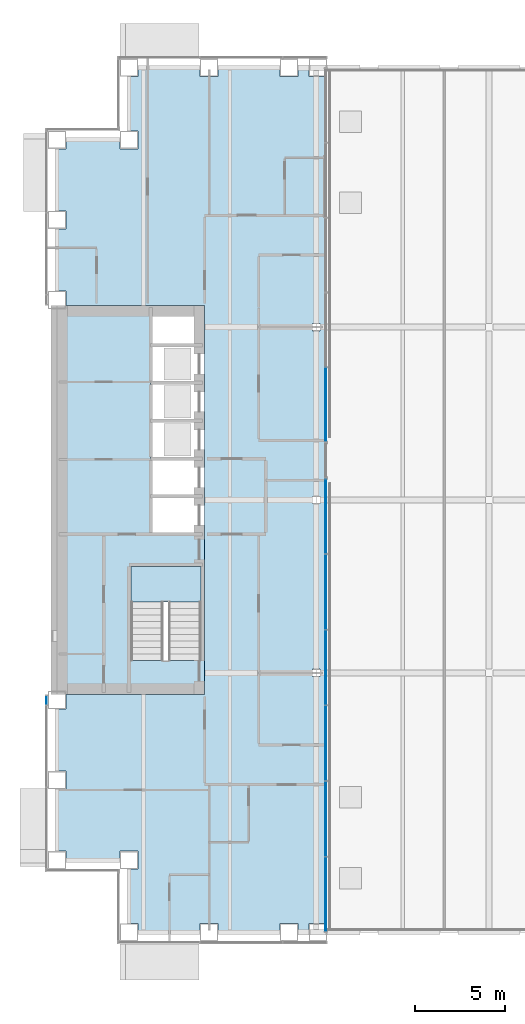
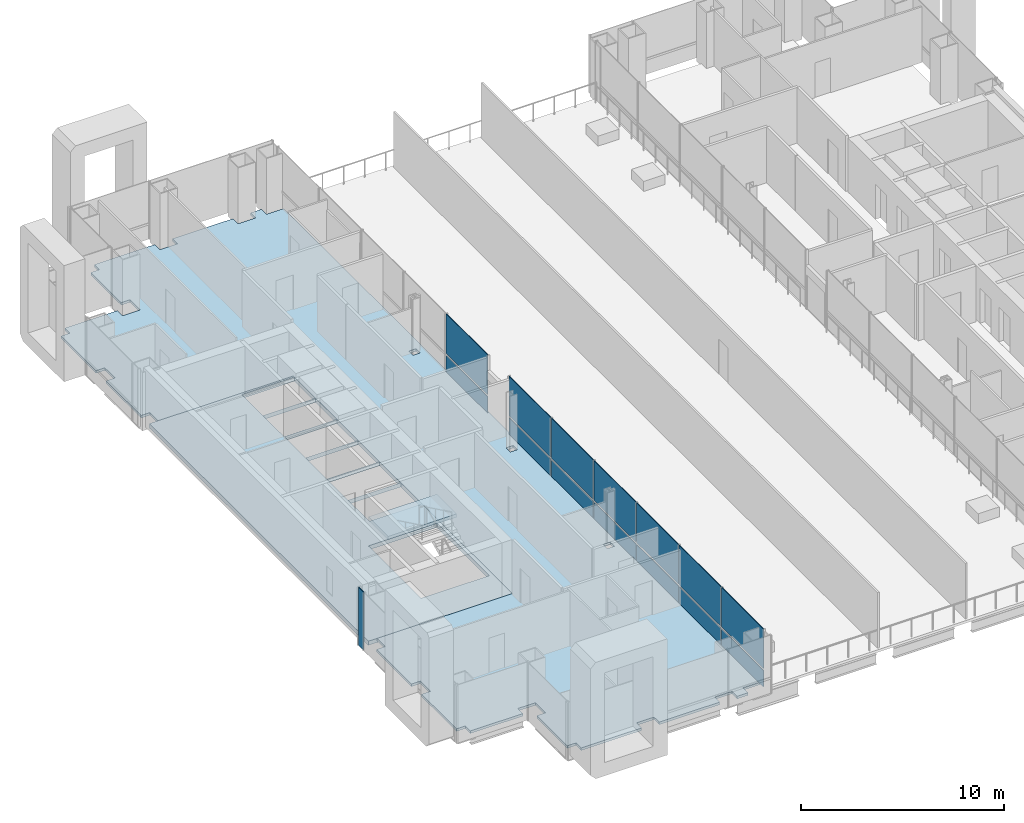
# One storey, part 12 of 24: 15 plates, 3 slabs, 4 elements without a shape of their own.
"""IFC4 building model written with IfcOpenShell, lengths in metres."""

from ifc_helpers import new_model, si_unit, direction, frame, origin, origin_2d, place, context, subcontext, project, spatial, polyline, rectangle, outline, extrude, material, layer, layer_set, type_object, element, aggregate, save


model = new_model("IFC4")

# Units and contexts
model_context = context("Model", 3, precision=1e-05, world=origin(), true_north=direction((0.0, 1.0)))
body_context = subcontext(model_context, "Body", "Model", "MODEL_VIEW")
ifc_project = project(units=[si_unit("LENGTHUNIT", "METRE"), si_unit("AREAUNIT", "SQUARE_METRE"), si_unit("VOLUMEUNIT", "CUBIC_METRE"), si_unit("PLANEANGLEUNIT", "RADIAN"), si_unit("MASSUNIT", "GRAM", prefix="KILO")], contexts=[model_context])

# Site, building, storey
site_placement = place(None, origin())
site = spatial("IfcSite", under=ifc_project, at=site_placement, CompositionType="ELEMENT")
building_placement = place(site_placement, origin())
building = spatial("IfcBuilding", under=site, at=building_placement, Name="Cobrizo Arcos Hotel Tower", CompositionType="ELEMENT")
storey_placement = place(building_placement, frame((0.0, 0.0, 60.0)))
storey = spatial("IfcBuildingStorey", under=building, at=storey_placement, Name="L13", CompositionType="ELEMENT", Elevation=60.0)

# Curtain wall, plate
ifc_material_1 = material(Name="Aluminium 6063-T6 anodised bronze", Category="aluminium")
curtain_wall_type_1 = type_object("IfcCurtainWallType", Name="CW-A guest facade", PredefinedType="NOTDEFINED", material=ifc_material_1)
curtain_wall_1_placement = place(storey_placement, origin())
curtain_wall_1 = element("IfcCurtainWall", 1, at=curtain_wall_1_placement, inside=storey, type_object=curtain_wall_type_1, Name="CW-A L13 W face", PredefinedType="NOTDEFINED")
ifc_material_2 = material(Name="Aluminium composite panel pale metal", Category="aluminium")
ifc_layer_1 = layer(ifc_material_2, 0.0400390625)
ifc_layer_set_1 = layer_set([ifc_layer_1], Name="CW-A spandrel panel")
plate_type_1 = type_object("IfcPlateType", Name="CW-A spandrel panel", PredefinedType="CURTAIN_PANEL", material=ifc_layer_set_1)
plate_1_placement = place(storey_placement, frame((-24.574951171875, -11.109375, 0.0), z_axis=(0.0, 0.0, 1.0), x_axis=(0.0, -1.0, 0.0)))
plate_1 = element("IfcPlate", 2, at=plate_1_placement, type_object=plate_type_1, Name="CW-A spandrel panel 616", PredefinedType="CURTAIN_PANEL", context=body_context, shape_type="SweptSolid", body=[
    extrude(rectangle(XDim=0.498779296875, YDim=0.0400390625, at=origin_2d()), origin(), (0.0, 0.0, 1.0), 3.5),
])
aggregate(curtain_wall_1, [plate_1])

# Curtain wall, plates
curtain_wall_type_2 = type_object("IfcCurtainWallType", Name="CW-F void screen", PredefinedType="NOTDEFINED", material=ifc_material_1)
curtain_wall_2_placement = place(storey_placement, origin())
curtain_wall_2 = element("IfcCurtainWall", 3, at=curtain_wall_2_placement, inside=storey, type_object=curtain_wall_type_2, Name="CW-F L13 void screen A", PredefinedType="NOTDEFINED")
ifc_material_3 = material(Name="Glass clear laminated low-e", Category="glass")
ifc_layer_2 = layer(ifc_material_3, 0.0400390625)
ifc_layer_set_2 = layer_set([ifc_layer_2], Name="CW-F glass panel")
plate_type_2 = type_object("IfcPlateType", Name="CW-F glass panel", PredefinedType="CURTAIN_PANEL", material=ifc_layer_set_2)
plate_2_placement = place(storey_placement, frame((-9.074951171875, 5.294921875, 0.0), z_axis=(0.0, 0.0, 1.0), x_axis=(0.0, -1.0, 0.0)))
plate_2 = element("IfcPlate", 4, at=plate_2_placement, type_object=plate_type_2, Name="CW-F glass panel 2441", PredefinedType="CURTAIN_PANEL", context=body_context, shape_type="SweptSolid", body=[
    extrude(rectangle(XDim=4.070068359375, YDim=0.0400390625, at=origin_2d()), origin(), (0.0, 0.0, 1.0), 0.989990234375),
])
plate_3_placement = place(storey_placement, frame((-9.074951171875, 5.294921875, 1.10986328125), z_axis=(0.0, 0.0, 1.0), x_axis=(0.0, -1.0, 0.0)))
plate_3 = element("IfcPlate", 5, at=plate_3_placement, type_object=plate_type_2, Name="CW-F glass panel 2441", PredefinedType="CURTAIN_PANEL", context=body_context, shape_type="SweptSolid", body=[
    extrude(rectangle(XDim=4.070068359375, YDim=0.0400390625, at=origin_2d()), origin(), (0.0, 0.0, 1.0), 2.389892578125),
])
aggregate(curtain_wall_2, [plate_2, plate_3])

curtain_wall_3_placement = place(storey_placement, origin())
curtain_wall_3 = element("IfcCurtainWall", 6, at=curtain_wall_3_placement, inside=storey, type_object=curtain_wall_type_2, Name="CW-F L13 void screen A", PredefinedType="NOTDEFINED")
plate_4_placement = place(storey_placement, frame((-9.074951171875, -0.9150390625, 0.0), z_axis=(0.0, 0.0, 1.0), x_axis=(0.0, -1.0, 0.0)))
plate_4 = element("IfcPlate", 7, at=plate_4_placement, type_object=plate_type_2, Name="CW-F glass panel 2442", PredefinedType="CURTAIN_PANEL", context=body_context, shape_type="SweptSolid", body=[
    extrude(rectangle(XDim=4.110107421875, YDim=0.0400390625, at=origin_2d()), origin(), (0.0, 0.0, 1.0), 0.989990234375),
])
plate_5_placement = place(storey_placement, frame((-9.074951171875, -0.9150390625, 1.10986328125), z_axis=(0.0, 0.0, 1.0), x_axis=(0.0, -1.0, 0.0)))
plate_5 = element("IfcPlate", 8, at=plate_5_placement, type_object=plate_type_2, Name="CW-F glass panel 2442", PredefinedType="CURTAIN_PANEL", context=body_context, shape_type="SweptSolid", body=[
    extrude(rectangle(XDim=4.110107421875, YDim=0.0400390625, at=origin_2d()), origin(), (0.0, 0.0, 1.0), 2.389892578125),
])
plate_6_placement = place(storey_placement, frame((-9.074951171875, -5.10009765625, 0.0), z_axis=(0.0, 0.0, 1.0), x_axis=(0.0, -1.0, 0.0)))
plate_6 = element("IfcPlate", 9, at=plate_6_placement, type_object=plate_type_2, Name="CW-F glass panel 2443", PredefinedType="CURTAIN_PANEL", context=body_context, shape_type="SweptSolid", body=[
    extrude(rectangle(XDim=4.139892578125, YDim=0.0400390625, at=origin_2d()), origin(), (0.0, 0.0, 1.0), 0.989990234375),
])
plate_7_placement = place(storey_placement, frame((-9.074951171875, -5.10009765625, 1.10986328125), z_axis=(0.0, 0.0, 1.0), x_axis=(0.0, -1.0, 0.0)))
plate_7 = element("IfcPlate", 10, at=plate_7_placement, type_object=plate_type_2, Name="CW-F glass panel 2443", PredefinedType="CURTAIN_PANEL", context=body_context, shape_type="SweptSolid", body=[
    extrude(rectangle(XDim=4.139892578125, YDim=0.0400390625, at=origin_2d()), origin(), (0.0, 0.0, 1.0), 2.389892578125),
])
plate_8_placement = place(storey_placement, frame((-9.074951171875, -9.300048828125, 0.0), z_axis=(0.0, 0.0, 1.0), x_axis=(0.0, -1.0, 0.0)))
plate_8 = element("IfcPlate", 11, at=plate_8_placement, type_object=plate_type_2, Name="CW-F glass panel 2444", PredefinedType="CURTAIN_PANEL", context=body_context, shape_type="SweptSolid", body=[
    extrude(rectangle(XDim=4.139892578125, YDim=0.0400390625, at=origin_2d()), origin(), (0.0, 0.0, 1.0), 0.989990234375),
])
plate_9_placement = place(storey_placement, frame((-9.074951171875, -9.300048828125, 1.10986328125), z_axis=(0.0, 0.0, 1.0), x_axis=(0.0, -1.0, 0.0)))
plate_9 = element("IfcPlate", 12, at=plate_9_placement, type_object=plate_type_2, Name="CW-F glass panel 2444", PredefinedType="CURTAIN_PANEL", context=body_context, shape_type="SweptSolid", body=[
    extrude(rectangle(XDim=4.139892578125, YDim=0.0400390625, at=origin_2d()), origin(), (0.0, 0.0, 1.0), 2.389892578125),
])
plate_10_placement = place(storey_placement, frame((-9.074951171875, -13.5, 0.0), z_axis=(0.0, 0.0, 1.0), x_axis=(0.0, -1.0, 0.0)))
plate_10 = element("IfcPlate", 13, at=plate_10_placement, type_object=plate_type_2, Name="CW-F glass panel 2445", PredefinedType="CURTAIN_PANEL", context=body_context, shape_type="SweptSolid", body=[
    extrude(rectangle(XDim=4.139892578125, YDim=0.0400390625, at=origin_2d()), origin(), (0.0, 0.0, 1.0), 0.989990234375),
])
plate_11_placement = place(storey_placement, frame((-9.074951171875, -13.5, 1.10986328125), z_axis=(0.0, 0.0, 1.0), x_axis=(0.0, -1.0, 0.0)))
plate_11 = element("IfcPlate", 14, at=plate_11_placement, type_object=plate_type_2, Name="CW-F glass panel 2445", PredefinedType="CURTAIN_PANEL", context=body_context, shape_type="SweptSolid", body=[
    extrude(rectangle(XDim=4.139892578125, YDim=0.0400390625, at=origin_2d()), origin(), (0.0, 0.0, 1.0), 2.389892578125),
])
plate_12_placement = place(storey_placement, frame((-9.074951171875, -17.699951171875, 0.0), z_axis=(0.0, 0.0, 1.0), x_axis=(0.0, -1.0, 0.0)))
plate_12 = element("IfcPlate", 15, at=plate_12_placement, type_object=plate_type_2, Name="CW-F glass panel 2446", PredefinedType="CURTAIN_PANEL", context=body_context, shape_type="SweptSolid", body=[
    extrude(rectangle(XDim=4.139892578125, YDim=0.0400390625, at=origin_2d()), origin(), (0.0, 0.0, 1.0), 0.989990234375),
])
plate_13_placement = place(storey_placement, frame((-9.074951171875, -17.699951171875, 1.10986328125), z_axis=(0.0, 0.0, 1.0), x_axis=(0.0, -1.0, 0.0)))
plate_13 = element("IfcPlate", 16, at=plate_13_placement, type_object=plate_type_2, Name="CW-F glass panel 2446", PredefinedType="CURTAIN_PANEL", context=body_context, shape_type="SweptSolid", body=[
    extrude(rectangle(XDim=4.139892578125, YDim=0.0400390625, at=origin_2d()), origin(), (0.0, 0.0, 1.0), 2.389892578125),
])
plate_14_placement = place(storey_placement, frame((-9.074951171875, -21.885009765625, 0.0), z_axis=(0.0, 0.0, 1.0), x_axis=(0.0, -1.0, 0.0)))
plate_14 = element("IfcPlate", 17, at=plate_14_placement, type_object=plate_type_2, Name="CW-F glass panel 2447", PredefinedType="CURTAIN_PANEL", context=body_context, shape_type="SweptSolid", body=[
    extrude(rectangle(XDim=4.110107421875, YDim=0.0400390625, at=origin_2d()), origin(), (0.0, 0.0, 1.0), 0.989990234375),
])
plate_15_placement = place(storey_placement, frame((-9.074951171875, -21.885009765625, 1.10986328125), z_axis=(0.0, 0.0, 1.0), x_axis=(0.0, -1.0, 0.0)))
plate_15 = element("IfcPlate", 18, at=plate_15_placement, type_object=plate_type_2, Name="CW-F glass panel 2447", PredefinedType="CURTAIN_PANEL", context=body_context, shape_type="SweptSolid", body=[
    extrude(rectangle(XDim=4.110107421875, YDim=0.0400390625, at=origin_2d()), origin(), (0.0, 0.0, 1.0), 2.389892578125),
])
aggregate(curtain_wall_3, [plate_4, plate_5, plate_6, plate_7, plate_8, plate_9, plate_10, plate_11, plate_12, plate_13, plate_14, plate_15])

# Slabs
ifc_material_4 = material(Name="Concrete f'c 35 MPa", Category="concrete")
ifc_layer_3 = layer(ifc_material_4, 0.14990234375)
ifc_layer_set_3 = layer_set([ifc_layer_3], Name="Composite floor slab 150 f'c 35")
slab_type_1 = type_object("IfcSlabType", Name="Composite floor slab 150 f'c 35", PredefinedType="FLOOR", material=ifc_layer_set_3)
slab_1_placement = place(storey_placement, frame((0.0, 0.0, -0.14990234375)))
element("IfcSlab", 19, at=slab_1_placement, inside=storey, type_object=slab_type_1, Name="Floor slab S5, L13, no. 01", PredefinedType="FLOOR", context=body_context, shape_type="SweptSolid", body=[
    extrude(outline(polyline([(-19.5, -23.5), (-20.0, -23.5), (-20.0, -20.5), (-19.5, -20.5), (-19.5, -19.5), (-20.5, -19.5), (-20.5, -20.0), (-23.5, -20.0), (-23.5, -19.5), (-24.0, -19.5), (-24.0, -16.055908203125), (-23.5, -16.055908203125), (-23.5, -15.055908203125), (-24.0, -15.055908203125), (-24.0, -11.611083984375), (-23.5, -11.611083984375), (-23.5, -10.800048828125), (-15.800048828125, -10.800048828125), (-15.800048828125, 10.800048828125), (-23.5, 10.800048828125), (-23.5, 11.611083984375), (-24.0, 11.611083984375), (-24.0, 15.055908203125), (-23.5, 15.055908203125), (-23.5, 16.055908203125), (-24.0, 16.055908203125), (-24.0, 19.5), (-23.5, 19.5), (-23.5, 20.0), (-20.5, 20.0), (-20.5, 19.5), (-19.5, 19.5), (-19.5, 20.5), (-20.0, 20.5), (-20.0, 23.5), (-19.5, 23.5), (-19.5, 24.0), (-16.055908203125, 24.0), (-16.055908203125, 23.5), (-15.055908203125, 23.5), (-15.055908203125, 24.0), (-11.611083984375, 24.0), (-11.611083984375, 23.5), (-10.611083984375, 23.5), (-10.611083984375, 24.0), (-10.0, 24.0), (-10.0, 23.5), (-9.0, 23.5), (-9.0, -23.5), (-10.0, -23.5), (-10.0, -24.0), (-10.611083984375, -24.0), (-10.611083984375, -23.5), (-11.611083984375, -23.5), (-11.611083984375, -24.0), (-15.055908203125, -24.0), (-15.055908203125, -23.5), (-16.055908203125, -23.5), (-16.055908203125, -24.0), (-19.5, -24.0), (-19.5, -23.5)]), holes=[polyline([(-9.3955078125, -9.804443359375), (-9.3955078125, -9.3955078125), (-9.804443359375, -9.3955078125), (-9.804443359375, -9.804443359375), (-9.3955078125, -9.804443359375)]), polyline([(-9.3955078125, 0.204345703125), (-9.804443359375, 0.204345703125), (-9.804443359375, -0.204345703125), (-9.3955078125, -0.204345703125), (-9.3955078125, 0.204345703125)]), polyline([(-9.3955078125, 9.804443359375), (-9.804443359375, 9.804443359375), (-9.804443359375, 9.3955078125), (-9.3955078125, 9.3955078125), (-9.3955078125, 9.804443359375)])]), origin(), (0.0, 0.0, 1.0), 0.14990234375),
])
ifc_material_5 = material(Name="Concrete f'c 60 MPa", Category="concrete")
ifc_layer_4 = layer(ifc_material_5, 0.25)
ifc_layer_set_4 = layer_set([ifc_layer_4], Name="RC core floor slab 250 f'c 60")
slab_type_2 = type_object("IfcSlabType", Name="RC core floor slab 250 f'c 60", PredefinedType="FLOOR", material=ifc_layer_set_4)
slab_2_placement = place(storey_placement, frame((0.0, 0.0, -0.25)))
element("IfcSlab", 20, at=slab_2_placement, inside=storey, type_object=slab_type_2, Name="Core floor slab CS3, west core, L13", PredefinedType="FLOOR", context=body_context, shape_type="SweptSolid", body=[
    extrude(outline(polyline([(-24.0, 10.800048828125), (-15.800048828125, 10.800048828125), (-15.800048828125, -10.800048828125), (-24.0, -10.800048828125), (-24.0, 10.800048828125)]), holes=[polyline([(-19.89794921875, -3.701904296875), (-19.89794921875, -8.89794921875), (-16.001953125, -8.89794921875), (-16.001953125, -3.701904296875), (-19.89794921875, -3.701904296875)]), polyline([(-18.798095703125, 0.197998046875), (-18.798095703125, -1.89794921875), (-15.802001953125, -1.89794921875), (-15.802001953125, 0.197998046875), (-18.798095703125, 0.197998046875)]), polyline([(-15.802001953125, 2.298095703125), (-18.798095703125, 2.298095703125), (-18.798095703125, 0.201904296875), (-15.802001953125, 0.201904296875), (-15.802001953125, 2.298095703125)]), polyline([(-15.802001953125, 4.39794921875), (-18.798095703125, 4.39794921875), (-18.798095703125, 2.302001953125), (-15.802001953125, 2.302001953125), (-15.802001953125, 4.39794921875)]), polyline([(-18.798095703125, 6.498046875), (-18.798095703125, 4.402099609375), (-15.802001953125, 4.402099609375), (-15.802001953125, 6.498046875), (-18.798095703125, 6.498046875)]), polyline([(-15.802001953125, 8.597900390625), (-18.798095703125, 8.597900390625), (-18.798095703125, 6.501953125), (-15.802001953125, 6.501953125), (-15.802001953125, 8.597900390625)]), polyline([(-15.802001953125, 10.697998046875), (-18.798095703125, 10.697998046875), (-18.798095703125, 8.60205078125), (-15.802001953125, 8.60205078125), (-15.802001953125, 10.697998046875)])]), origin(), (0.0, 0.0, 1.0), 0.25),
])

# Stair, slab
ifc_material_6 = material(Name="Concrete f'c 40 MPa", Category="concrete")
stair_type = type_object("IfcStairType", Name="Exit stair", PredefinedType="HALF_TURN_STAIR", material=ifc_material_6)
stair_placement = place(storey_placement, origin())
stair = element("IfcStair", 21, at=stair_placement, inside=storey, type_object=stair_type, Name="L13 Exit stair ST-W", PredefinedType="HALF_TURN_STAIR")
ifc_layer_5 = layer(ifc_material_6, 0.199951171875)
ifc_layer_set_5 = layer_set([ifc_layer_5], Name="Stair landing")
slab_type_3 = type_object("IfcSlabType", Name="Stair landing", PredefinedType="LANDING", material=ifc_layer_set_5)
slab_3_placement = place(storey_placement, frame((0.0, 0.0, 1.550048828125)))
slab_3 = element("IfcSlab", 22, at=slab_3_placement, type_object=slab_type_3, Name="ST-W landing 1", PredefinedType="LANDING", context=body_context, shape_type="SweptSolid", body=[
    extrude(outline(polyline([(-16.0, -5.659912109375), (-16.0, -3.699951171875), (-19.89990234375, -3.699951171875), (-19.89990234375, -5.659912109375), (-16.0, -5.659912109375)])), origin(), (0.0, 0.0, 1.0), 0.199951171875),
])
aggregate(stair, [slab_3])

save(model, "model.ifc")
